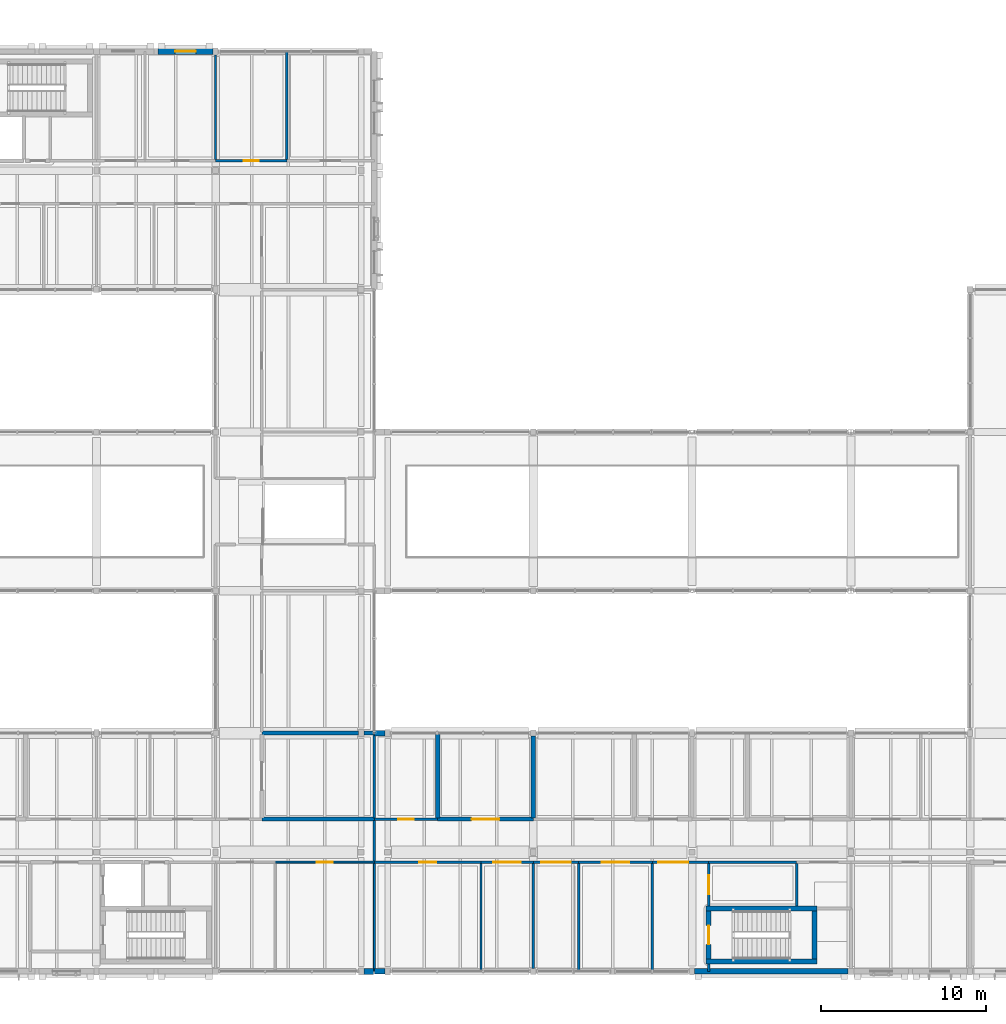
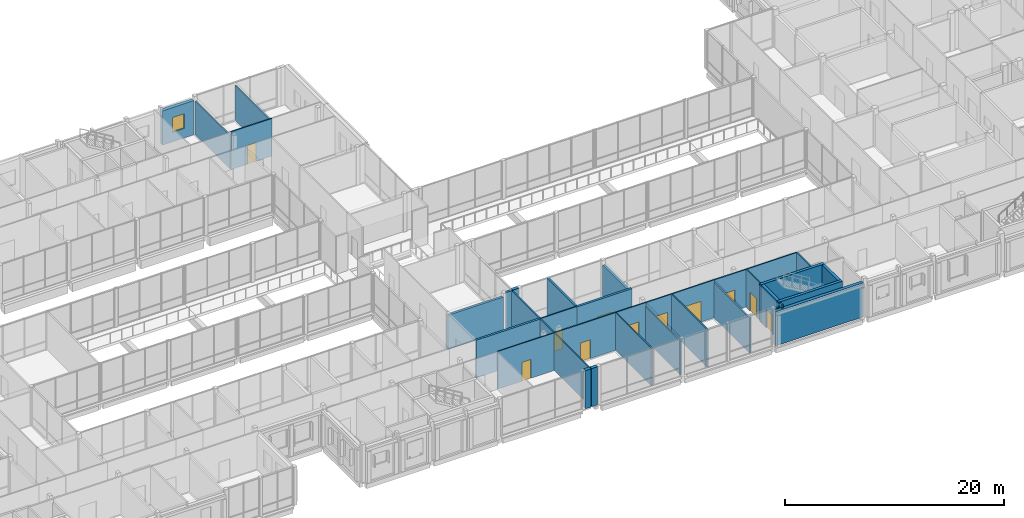
# One storey, part 112 of 146: 36 walls, 11 doors, 1 window, 12 openings.
"""IFC4 building model written with IfcOpenShell, lengths in metres."""

from ifc_helpers import new_model, si_unit, direction, frame, frame_2d, origin, place, context, subcontext, project, spatial, rectangle, extrude, material, layer, layer_set, type_object, element, fill, save


model = new_model("IFC4")

# Units and contexts
model_context = context("Model", 3, precision=1e-05, world=origin(), true_north=direction((0.0, 1.0)))
body_context = subcontext(model_context, "Body", "Model", "MODEL_VIEW")
ifc_project = project(units=[si_unit("LENGTHUNIT", "METRE"), si_unit("AREAUNIT", "SQUARE_METRE"), si_unit("VOLUMEUNIT", "CUBIC_METRE"), si_unit("PLANEANGLEUNIT", "RADIAN"), si_unit("MASSUNIT", "GRAM", prefix="KILO")], contexts=[model_context])

# Site, building, storey
site_placement = place(None, origin())
site = spatial("IfcSite", under=ifc_project, at=site_placement, CompositionType="ELEMENT")
building_placement = place(site_placement, origin())
building = spatial("IfcBuilding", under=site, at=building_placement, Name="Hawrajan Terrace Health Centre", CompositionType="ELEMENT")
storey_placement = place(building_placement, frame((0.0, 0.0, 4.5)))
storey = spatial("IfcBuildingStorey", under=building, at=storey_placement, Name="L01", CompositionType="ELEMENT", Elevation=4.5)

# Wall
ifc_material_1 = material(Name="Gypsum board on acoustic stud framing")
ifc_layer_1 = layer(ifc_material_1, 0.139892578125)
ifc_layer_set_1 = layer_set([ifc_layer_1], Name="Gypsum board on acoustic stud framing")
wall_type_1 = type_object("IfcWallType", Name="ClinicalAcousticWall_140", PredefinedType="PARTITIONING", material=ifc_layer_set_1)
wall_1_placement = place(storey_placement, frame((62.199951171875, 53.27001953125, 0.0), z_axis=(0.0, 0.0, 1.0), x_axis=(0.0, 1.0, 0.0)))
element("IfcWall", 1, at=wall_1_placement, inside=storey, type_object=wall_type_1, Name="Interior wall IW-L01-0629", PredefinedType="PARTITIONING", context=body_context, shape_type="SweptSolid", body=[
    extrude(rectangle(XDim=6.320068359375, YDim=0.139892578125, at=frame_2d((3.16015625, 0.0))), origin(), (0.0, 0.0, 1.0), 3.739990234375),
])

# Wall, opening, door
wall_2_placement = place(storey_placement, frame((62.199951171875, 53.199951171875, 0.0), z_axis=(0.0, 0.0, 1.0), x_axis=(1.0, 0.0, 0.0)))
wall_2 = element("IfcWall", 2, at=wall_2_placement, inside=storey, type_object=wall_type_1, Name="Interior wall IW-L01-0630", PredefinedType="PARTITIONING", context=body_context, shape_type="SweptSolid", body=[
    extrude(rectangle(XDim=4.30810546875, YDim=0.139892578125, at=frame_2d((2.154052734375, 0.0))), origin(), (0.0, 0.0, 1.0), 4.179931640625),
])
opening_1_placement = place(wall_2_placement, frame((1.694091796875, 0.0, 0.0)))
opening_1 = element("IfcOpeningElement", 3, at=opening_1_placement, cuts=wall_2, Name="Opening D-L01-337", PredefinedType="OPENING", context=body_context, shape_type="SweptSolid", body=[
    extrude(rectangle(XDim=0.919921875, YDim=2.10009765625, at=frame_2d((0.4599609375, 1.050048828125))), frame((0.0, 0.079833984375, 0.0), z_axis=(0.0, -1.0, 0.0), x_axis=(1.0, 0.0, 0.0)), (0.0, 0.0, 1.0), 0.159912109375),
])
ifc_material_2 = material(Name="Hardwood acoustic clinical door leaf and frame", Category="wood")
door_type_1 = type_object("IfcDoorType", Name="StaffOfficeDoor_920x2100", OperationType="NOTDEFINED", PredefinedType="DOOR", material=ifc_material_2)
door_1_placement = place(opening_1_placement, origin())
door_1 = element("IfcDoor", 4, at=door_1_placement, inside=storey, type_object=door_type_1, Name="Interior door D-L01-337", OperationType="SINGLE_SWING_LEFT", OverallHeight=2.10009765625, OverallWidth=0.919921875, PredefinedType="DOOR", context=body_context, shape_type="SweptSolid", body=[
    extrude(rectangle(XDim=0.919921875, YDim=2.10009765625, at=frame_2d((0.4599609375, 1.050048828125))), frame((0.0, 0.02490234375, 0.0), z_axis=(0.0, -1.0, 0.0), x_axis=(1.0, 0.0, 0.0)), (0.0, 0.0, 1.0), 0.050048828125),
])
fill(opening_1, door_1)

# Wall
wall_3_placement = place(storey_placement, frame((66.508056640625, 53.27001953125, 0.0), z_axis=(0.0, 0.0, 1.0), x_axis=(0.0, 1.0, 0.0)))
element("IfcWall", 5, at=wall_3_placement, inside=storey, type_object=wall_type_1, Name="Interior wall IW-L01-0649", PredefinedType="PARTITIONING", context=body_context, shape_type="SweptSolid", body=[
    extrude(rectangle(XDim=6.530029296875, YDim=0.139892578125, at=frame_2d((3.26513671875, 0.0))), origin(), (0.0, 0.0, 1.0), 3.860107421875),
])

# Wall, opening, door
wall_4_placement = place(storey_placement, frame((71.804931640625, 10.800048828125, 0.0), z_axis=(0.0, 0.0, 1.0), x_axis=(1.0, 0.0, 0.0)))
wall_4 = element("IfcWall", 6, at=wall_4_placement, inside=storey, type_object=wall_type_1, Name="Interior wall IW-L01-0651", PredefinedType="PARTITIONING", context=body_context, shape_type="SweptSolid", body=[
    extrude(rectangle(XDim=6.43798828125, YDim=0.139892578125, at=frame_2d((3.218994140625, 0.0))), origin(), (0.0, 0.0, 1.0), 4.179931640625),
])
opening_2_placement = place(wall_4_placement, frame((2.698974609375, 0.0, 0.0)))
opening_2 = element("IfcOpeningElement", 7, at=opening_2_placement, cuts=wall_4, Name="Opening D-L01-345", PredefinedType="OPENING", context=body_context, shape_type="SweptSolid", body=[
    extrude(rectangle(XDim=1.0400390625, YDim=2.10009765625, at=frame_2d((0.52001953125, 1.050048828125))), frame((0.0, 0.079833984375, 0.0), z_axis=(0.0, -1.0, 0.0), x_axis=(1.0, 0.0, 0.0)), (0.0, 0.0, 1.0), 0.159912109375),
])
door_type_2 = type_object("IfcDoorType", Name="ConsultDoor_1040x2100", OperationType="NOTDEFINED", PredefinedType="DOOR", material=ifc_material_2)
door_2_placement = place(opening_2_placement, origin())
door_2 = element("IfcDoor", 8, at=door_2_placement, inside=storey, type_object=door_type_2, Name="Interior door D-L01-345", OperationType="SINGLE_SWING_LEFT", OverallHeight=2.10009765625, OverallWidth=1.0400390625, PredefinedType="DOOR", context=body_context, shape_type="SweptSolid", body=[
    extrude(rectangle(XDim=1.0400390625, YDim=2.10009765625, at=frame_2d((0.52001953125, 1.050048828125))), frame((0.0, 0.02490234375, 0.0), z_axis=(0.0, -1.0, 0.0), x_axis=(1.0, 0.0, 0.0)), (0.0, 0.0, 1.0), 0.050048828125),
])
fill(opening_2, door_2)

wall_5_placement = place(storey_placement, frame((71.804931640625, 13.39990234375, 0.0), z_axis=(0.0, 0.0, 1.0), x_axis=(1.0, 0.0, 0.0)))
wall_5 = element("IfcWall", 9, at=wall_5_placement, inside=storey, type_object=wall_type_1, Name="Interior wall IW-L01-0652", PredefinedType="PARTITIONING", context=body_context, shape_type="SweptSolid", body=[
    extrude(rectangle(XDim=3.819091796875, YDim=0.139892578125, at=frame_2d((1.90966796875, 0.0))), origin(), (0.0, 0.0, 1.0), 4.179931640625),
])
opening_3_placement = place(wall_5_placement, frame((1.449462890625, 0.0, 0.0)))
opening_3 = element("IfcOpeningElement", 10, at=opening_3_placement, cuts=wall_5, Name="Opening D-L01-347", PredefinedType="OPENING", context=body_context, shape_type="SweptSolid", body=[
    extrude(rectangle(XDim=0.919921875, YDim=2.10009765625, at=frame_2d((0.4599609375, 1.050048828125))), frame((0.0, 0.079833984375, 0.0), z_axis=(0.0, -1.0, 0.0), x_axis=(1.0, 0.0, 0.0)), (0.0, 0.0, 1.0), 0.159912109375),
])
door_3_placement = place(opening_3_placement, origin())
door_3 = element("IfcDoor", 11, at=door_3_placement, inside=storey, type_object=door_type_1, Name="Interior door D-L01-347", OperationType="SINGLE_SWING_LEFT", OverallHeight=2.10009765625, OverallWidth=0.919921875, PredefinedType="DOOR", context=body_context, shape_type="SweptSolid", body=[
    extrude(rectangle(XDim=0.919921875, YDim=2.10009765625, at=frame_2d((0.4599609375, 1.050048828125))), frame((0.0, 0.02490234375, 0.0), z_axis=(0.0, -1.0, 0.0), x_axis=(1.0, 0.0, 0.0)), (0.0, 0.0, 1.0), 0.050048828125),
])
fill(opening_3, door_3)

# Wall
wall_6_placement = place(storey_placement, frame((78.242919921875, 4.199951171875, 0.0), z_axis=(0.0, 0.0, 1.0), x_axis=(0.0, 1.0, 0.0)))
element("IfcWall", 12, at=wall_6_placement, inside=storey, type_object=wall_type_1, Name="Interior wall IW-L01-0655", PredefinedType="PARTITIONING", context=body_context, shape_type="SweptSolid", body=[
    extrude(rectangle(XDim=6.530029296875, YDim=0.139892578125, at=frame_2d((3.26513671875, 0.0))), origin(), (0.0, 0.0, 1.0), 4.179931640625),
])

# Wall, opening, door
wall_7_placement = place(storey_placement, frame((78.242919921875, 10.800048828125, 0.0), z_axis=(0.0, 0.0, 1.0), x_axis=(1.0, 0.0, 0.0)))
wall_7 = element("IfcWall", 13, at=wall_7_placement, inside=storey, type_object=wall_type_1, Name="Interior wall IW-L01-0656", PredefinedType="PARTITIONING", context=body_context, shape_type="SweptSolid", body=[
    extrude(rectangle(XDim=3.156982421875, YDim=0.139892578125, at=frame_2d((1.57861328125, 0.0))), origin(), (0.0, 0.0, 1.0), 4.179931640625),
])
opening_4_placement = place(wall_7_placement, frame((0.74853515625, 0.0, 0.0)))
opening_4 = element("IfcOpeningElement", 14, at=opening_4_placement, cuts=wall_7, Name="Opening D-L01-346", PredefinedType="OPENING", context=body_context, shape_type="SweptSolid", body=[
    extrude(rectangle(XDim=1.659912109375, YDim=2.300048828125, at=frame_2d((0.830078125, 1.14990234375))), frame((0.0, 0.079833984375, 0.0), z_axis=(0.0, -1.0, 0.0), x_axis=(1.0, 0.0, 0.0)), (0.0, 0.0, 1.0), 0.159912109375),
])
door_type_3 = type_object("IfcDoorType", Name="RehabGymDoor_1660x2300", OperationType="DOUBLE_DOOR_SINGLE_SWING", PredefinedType="DOOR", material=ifc_material_2)
door_4_placement = place(opening_4_placement, origin())
door_4 = element("IfcDoor", 15, at=door_4_placement, inside=storey, type_object=door_type_3, Name="Interior door D-L01-346", OperationType="DOUBLE_DOOR_SINGLE_SWING", OverallHeight=2.300048828125, OverallWidth=1.659912109375, PredefinedType="DOOR", context=body_context, shape_type="SweptSolid", body=[
    extrude(rectangle(XDim=1.659912109375, YDim=2.300048828125, at=frame_2d((0.830078125, 1.14990234375))), frame((0.0, 0.02490234375, 0.0), z_axis=(0.0, -1.0, 0.0), x_axis=(1.0, 0.0, 0.0)), (0.0, 0.0, 1.0), 0.050048828125),
])
fill(opening_4, door_4)

# Wall
wall_8_placement = place(storey_placement, frame((81.39990234375, 4.3798828125, 0.0), z_axis=(0.0, 0.0, 1.0), x_axis=(0.0, 1.0, 0.0)))
element("IfcWall", 16, at=wall_8_placement, inside=storey, type_object=wall_type_1, Name="Interior wall IW-L01-0657", PredefinedType="PARTITIONING", context=body_context, shape_type="SweptSolid", body=[
    extrude(rectangle(XDim=6.35009765625, YDim=0.139892578125, at=frame_2d((3.175048828125, 0.0))), origin(), (0.0, 0.0, 1.0), 3.739990234375),
])

# Wall, opening, door
wall_9_placement = place(storey_placement, frame((81.39990234375, 10.800048828125, 0.0), z_axis=(0.0, 0.0, 1.0), x_axis=(1.0, 0.0, 0.0)))
wall_9 = element("IfcWall", 17, at=wall_9_placement, inside=storey, type_object=wall_type_1, Name="Interior wall IW-L01-0658", PredefinedType="PARTITIONING", context=body_context, shape_type="SweptSolid", body=[
    extrude(rectangle(XDim=2.7431640625, YDim=0.139892578125, at=frame_2d((1.37158203125, 0.0))), origin(), (0.0, 0.0, 1.0), 4.179931640625),
])
opening_5_placement = place(wall_9_placement, frame((0.471435546875, 0.0, 0.0)))
opening_5 = element("IfcOpeningElement", 18, at=opening_5_placement, cuts=wall_9, Name="Opening D-L01-349", PredefinedType="OPENING", context=body_context, shape_type="SweptSolid", body=[
    extrude(rectangle(XDim=1.800048828125, YDim=2.300048828125, at=frame_2d((0.89990234375, 1.14990234375))), frame((0.0, 0.079833984375, 0.0), z_axis=(0.0, -1.0, 0.0), x_axis=(1.0, 0.0, 0.0)), (0.0, 0.0, 1.0), 0.159912109375),
])
door_type_4 = type_object("IfcDoorType", Name="EducationHallDoor_1800x2300", OperationType="DOUBLE_DOOR_SINGLE_SWING", PredefinedType="DOOR", material=ifc_material_2)
door_5_placement = place(opening_5_placement, origin())
door_5 = element("IfcDoor", 19, at=door_5_placement, inside=storey, type_object=door_type_4, Name="Interior door D-L01-349", OperationType="DOUBLE_DOOR_SINGLE_SWING", OverallHeight=2.300048828125, OverallWidth=1.800048828125, PredefinedType="DOOR", context=body_context, shape_type="SweptSolid", body=[
    extrude(rectangle(XDim=1.800048828125, YDim=2.300048828125, at=frame_2d((0.89990234375, 1.14990234375))), frame((0.0, 0.02490234375, 0.0), z_axis=(0.0, -1.0, 0.0), x_axis=(1.0, 0.0, 0.0)), (0.0, 0.0, 1.0), 0.050048828125),
])
fill(opening_5, door_5)

# Wall
wall_10_placement = place(storey_placement, frame((84.14306640625, 4.199951171875, 0.0), z_axis=(0.0, 0.0, 1.0), x_axis=(0.0, 1.0, 0.0)))
element("IfcWall", 20, at=wall_10_placement, inside=storey, type_object=wall_type_1, Name="Interior wall IW-L01-0661", PredefinedType="PARTITIONING", context=body_context, shape_type="SweptSolid", body=[
    extrude(rectangle(XDim=6.530029296875, YDim=0.139892578125, at=frame_2d((3.26513671875, 0.0))), origin(), (0.0, 0.0, 1.0), 4.179931640625),
])

# Wall, opening, door
wall_11_placement = place(storey_placement, frame((84.14306640625, 10.800048828125, 0.0), z_axis=(0.0, 0.0, 1.0), x_axis=(1.0, 0.0, 0.0)))
wall_11 = element("IfcWall", 21, at=wall_11_placement, inside=storey, type_object=wall_type_1, Name="Interior wall IW-L01-0662", PredefinedType="PARTITIONING", context=body_context, shape_type="SweptSolid", body=[
    extrude(rectangle(XDim=4.45703125, YDim=0.139892578125, at=frame_2d((2.228515625, 0.0))), origin(), (0.0, 0.0, 1.0), 4.179931640625),
])
opening_6_placement = place(wall_11_placement, frame((1.3984375, 0.0, 0.0)))
opening_6 = element("IfcOpeningElement", 22, at=opening_6_placement, cuts=wall_11, Name="Opening D-L01-350", PredefinedType="OPENING", context=body_context, shape_type="SweptSolid", body=[
    extrude(rectangle(XDim=1.659912109375, YDim=2.300048828125, at=frame_2d((0.830078125, 1.14990234375))), frame((0.0, 0.079833984375, 0.0), z_axis=(0.0, -1.0, 0.0), x_axis=(1.0, 0.0, 0.0)), (0.0, 0.0, 1.0), 0.159912109375),
])
door_6_placement = place(opening_6_placement, origin())
door_6 = element("IfcDoor", 23, at=door_6_placement, inside=storey, type_object=door_type_3, Name="Interior door D-L01-350", OperationType="DOUBLE_DOOR_SINGLE_SWING", OverallHeight=2.300048828125, OverallWidth=1.659912109375, PredefinedType="DOOR", context=body_context, shape_type="SweptSolid", body=[
    extrude(rectangle(XDim=1.659912109375, YDim=2.300048828125, at=frame_2d((0.830078125, 1.14990234375))), frame((0.0, 0.02490234375, 0.0), z_axis=(0.0, -1.0, 0.0), x_axis=(1.0, 0.0, 0.0)), (0.0, 0.0, 1.0), 0.050048828125),
])
fill(opening_6, door_6)

# Wall
wall_12_placement = place(storey_placement, frame((88.60009765625, 4.199951171875, 0.0), z_axis=(0.0, 0.0, 1.0), x_axis=(0.0, 1.0, 0.0)))
element("IfcWall", 24, at=wall_12_placement, inside=storey, type_object=wall_type_1, Name="Interior wall IW-L01-0665", PredefinedType="PARTITIONING", context=body_context, shape_type="SweptSolid", body=[
    extrude(rectangle(XDim=6.530029296875, YDim=0.139892578125, at=frame_2d((3.26513671875, 0.0))), origin(), (0.0, 0.0, 1.0), 3.89990234375),
])

# Wall, opening, door
wall_13_placement = place(storey_placement, frame((88.60009765625, 10.800048828125, 0.0), z_axis=(0.0, 0.0, 1.0), x_axis=(1.0, 0.0, 0.0)))
wall_13 = element("IfcWall", 25, at=wall_13_placement, inside=storey, type_object=wall_type_1, Name="Interior wall IW-L01-0666", PredefinedType="PARTITIONING", context=body_context, shape_type="SweptSolid", body=[
    extrude(rectangle(XDim=3.39990234375, YDim=0.139892578125, at=frame_2d((1.699951171875, 0.0))), origin(), (0.0, 0.0, 1.0), 4.179931640625),
])
opening_7_placement = place(wall_13_placement, frame((0.360107421875, 0.0, 0.0)))
opening_7 = element("IfcOpeningElement", 26, at=opening_7_placement, cuts=wall_13, Name="Opening D-L01-264", PredefinedType="OPENING", context=body_context, shape_type="SweptSolid", body=[
    extrude(rectangle(XDim=1.800048828125, YDim=2.300048828125, at=frame_2d((0.89990234375, 1.14990234375))), frame((0.0, 0.079833984375, 0.0), z_axis=(0.0, -1.0, 0.0), x_axis=(1.0, 0.0, 0.0)), (0.0, 0.0, 1.0), 0.159912109375),
])
door_7_placement = place(opening_7_placement, origin())
door_7 = element("IfcDoor", 27, at=door_7_placement, inside=storey, type_object=door_type_4, Name="Interior door D-L01-264", OperationType="DOUBLE_DOOR_SINGLE_SWING", OverallHeight=2.300048828125, OverallWidth=1.800048828125, PredefinedType="DOOR", context=body_context, shape_type="SweptSolid", body=[
    extrude(rectangle(XDim=1.800048828125, YDim=2.300048828125, at=frame_2d((0.89990234375, 1.14990234375))), frame((0.0, 0.02490234375, 0.0), z_axis=(0.0, -1.0, 0.0), x_axis=(1.0, 0.0, 0.0)), (0.0, 0.0, 1.0), 0.050048828125),
])
fill(opening_7, door_7)

wall_14_placement = place(storey_placement, frame((92.0, 8.139892578125, 0.0), z_axis=(0.0, 0.0, 1.0), x_axis=(0.0, 1.0, 0.0)))
wall_14 = element("IfcWall", 28, at=wall_14_placement, inside=storey, type_object=wall_type_1, Name="Interior wall IW-L01-0669", PredefinedType="PARTITIONING", context=body_context, shape_type="SweptSolid", body=[
    extrude(rectangle(XDim=2.590087890625, YDim=0.139892578125, at=frame_2d((1.294921875, 0.0))), origin(), (0.0, 0.0, 1.0), 4.179931640625),
])
opening_8_placement = place(wall_14_placement, frame((0.715087890625, 0.0, 0.0)))
opening_8 = element("IfcOpeningElement", 29, at=opening_8_placement, cuts=wall_14, Name="Opening D-L01-353", PredefinedType="OPENING", context=body_context, shape_type="SweptSolid", body=[
    extrude(rectangle(XDim=1.159912109375, YDim=2.10009765625, at=frame_2d((0.580078125, 1.050048828125))), frame((0.0, 0.079833984375, 0.0), z_axis=(0.0, -1.0, 0.0), x_axis=(1.0, 0.0, 0.0)), (0.0, 0.0, 1.0), 0.159912109375),
])
door_type_5 = type_object("IfcDoorType", Name="ConsultDoor_1160x2100", OperationType="NOTDEFINED", PredefinedType="DOOR", material=ifc_material_2)
door_8_placement = place(opening_8_placement, origin())
door_8 = element("IfcDoor", 30, at=door_8_placement, inside=storey, type_object=door_type_5, Name="Interior door D-L01-353", OperationType="SINGLE_SWING_LEFT", OverallHeight=2.10009765625, OverallWidth=1.159912109375, PredefinedType="DOOR", context=body_context, shape_type="SweptSolid", body=[
    extrude(rectangle(XDim=1.159912109375, YDim=2.10009765625, at=frame_2d((0.580078125, 1.050048828125))), frame((0.0, 0.02490234375, 0.0), z_axis=(0.0, -1.0, 0.0), x_axis=(1.0, 0.0, 0.0)), (0.0, 0.0, 1.0), 0.050048828125),
])
fill(opening_8, door_8)

# Walls
wall_15_placement = place(storey_placement, frame((92.0, 10.800048828125, 0.0), z_axis=(0.0, 0.0, 1.0), x_axis=(1.0, 0.0, 0.0)))
element("IfcWall", 31, at=wall_15_placement, inside=storey, type_object=wall_type_1, Name="Interior wall IW-L01-0670", PredefinedType="PARTITIONING", context=body_context, shape_type="SweptSolid", body=[
    extrude(rectangle(XDim=5.322998046875, YDim=0.139892578125, at=frame_2d((2.66162109375, 0.0))), origin(), (0.0, 0.0, 1.0), 4.179931640625),
])
wall_16_placement = place(storey_placement, frame((97.322998046875, 8.139892578125, 0.0), z_axis=(0.0, 0.0, 1.0), x_axis=(0.0, 1.0, 0.0)))
element("IfcWall", 32, at=wall_16_placement, inside=storey, type_object=wall_type_1, Name="Interior wall IW-L01-0673", PredefinedType="PARTITIONING", context=body_context, shape_type="SweptSolid", body=[
    extrude(rectangle(XDim=2.590087890625, YDim=0.139892578125, at=frame_2d((1.294921875, 0.0))), origin(), (0.0, 0.0, 1.0), 4.179931640625),
])
ifc_material_3 = material(Name="Precast concrete C40/50", Category="concrete")
ifc_layer_2 = layer(ifc_material_3, 0.340087890625)
ifc_layer_set_2 = layer_set([ifc_layer_2], Name="Precast concrete C40/50")
wall_type_2 = type_object("IfcWallType", Name="CoralAshlarWall_340", PredefinedType="SOLIDWALL", material=ifc_layer_set_2)
for number, where, z_axis, x_axis, name in (
    (33, (71.804931640625, 4.199951171875, 0.0), (0.0, 0.0, 1.0), (1.0, 0.0, 0.0), "Exterior wall EW-L01-H09-00-1"),
    (34, (71.804931640625, 18.60009765625, 0.0), (0.0, 0.0, 1.0), (1.0, 0.0, 0.0), "Exterior wall EW-L01-H09-02-1"),
):
    element("IfcWall", number, at=place(storey_placement, frame(where, z_axis=z_axis, x_axis=x_axis)), inside=storey, type_object=wall_type_2, Name=name, PredefinedType="SOLIDWALL", context=body_context, shape_type="SweptSolid", body=[
        extrude(rectangle(XDim=0.635009765625, YDim=0.340087890625, at=frame_2d((0.3173828125, 0.0))), origin(), (0.0, 0.0, 1.0), 4.260009765625),
    ])
wall_17_placement = place(storey_placement, frame((91.159912109375, 4.199951171875, 0.0), z_axis=(0.0, 0.0, 1.0), x_axis=(1.0, 0.0, 0.0)))
element("IfcWall", 35, at=wall_17_placement, inside=storey, type_object=wall_type_2, Name="Exterior wall EW-L01-H11-00-1", PredefinedType="SOLIDWALL", context=body_context, shape_type="SweptSolid", body=[
    extrude(rectangle(XDim=9.260009765625, YDim=0.340087890625, at=frame_2d((4.6298828125, 0.0))), origin(), (0.0, 0.0, 1.0), 3.800048828125),
])

# Wall, opening, window
ifc_layer_3 = layer(ifc_material_3, 0.360107421875)
ifc_layer_set_3 = layer_set([ifc_layer_3], Name="Precast concrete C40/50")
wall_type_3 = type_object("IfcWallType", Name="CoralPodiumWall_360", PredefinedType="SOLIDWALL", material=ifc_layer_set_3)
wall_18_placement = place(storey_placement, frame((58.719970703125, 59.800048828125, 0.0), z_axis=(0.0, 0.0, 1.0), x_axis=(1.0, 0.0, 0.0)))
wall_18 = element("IfcWall", 36, at=wall_18_placement, inside=storey, type_object=wall_type_3, Name="Exterior wall EW-L01-H07-07-2", PredefinedType="SOLIDWALL", context=body_context, shape_type="SweptSolid", body=[
    extrude(rectangle(XDim=3.320068359375, YDim=0.360107421875, at=frame_2d((1.66015625, 0.0))), origin(), (0.0, 0.0, 1.0), 3.800048828125),
])
opening_9_placement = place(wall_18_placement, frame((1.030029296875, 0.0, 1.050048828125)))
opening_9 = element("IfcOpeningElement", 37, at=opening_9_placement, cuts=wall_18, Name="Opening W-L01-079", PredefinedType="OPENING", context=body_context, shape_type="SweptSolid", body=[
    extrude(rectangle(XDim=1.260009765625, YDim=1.64990234375, at=frame_2d((0.6298828125, 0.824951171875))), frame((0.0, 0.18994140625, 0.0), z_axis=(0.0, -1.0, 0.0), x_axis=(1.0, 0.0, 0.0)), (0.0, 0.0, 1.0), 0.380126953125),
])
ifc_material_4 = material(Name="Anodized bronze frame with double low-E glazing", Category="glass")
window_type = type_object("IfcWindowType", Name="FacadeWindow_1260x1650", PartitioningType="SINGLE_PANEL", PredefinedType="WINDOW", material=ifc_material_4)
window_placement = place(opening_9_placement, origin())
window = element("IfcWindow", 38, at=window_placement, inside=storey, type_object=window_type, Name="Window W-L01-079", OverallHeight=1.64990234375, OverallWidth=1.260009765625, PartitioningType="SINGLE_PANEL", PredefinedType="WINDOW", context=body_context, shape_type="SweptSolid", body=[
    extrude(rectangle(XDim=1.260009765625, YDim=1.64990234375, at=frame_2d((0.6298828125, 0.824951171875))), frame((0.0, 0.030029296875, 0.0), z_axis=(0.0, -1.0, 0.0), x_axis=(1.0, 0.0, 0.0)), (0.0, 0.0, 1.0), 0.06005859375),
])
fill(opening_9, window)

# Walls
wall_19_placement = place(storey_placement, frame((71.159912109375, 4.199951171875, 0.0), z_axis=(0.0, 0.0, 1.0), x_axis=(1.0, 0.0, 0.0)))
element("IfcWall", 39, at=wall_19_placement, inside=storey, type_object=wall_type_3, Name="Exterior wall EW-L01-H08-00-2", PredefinedType="SOLIDWALL", context=body_context, shape_type="SweptSolid", body=[
    extrude(rectangle(XDim=0.594970703125, YDim=0.360107421875, at=frame_2d((0.29736328125, 0.0))), origin(), (0.0, 0.0, 1.0), 4.260009765625),
])
ifc_material_5 = material(Name="Concrete C40/50", Category="concrete")
ifc_layer_4 = layer(ifc_material_5, 0.300048828125)
ifc_layer_set_4 = layer_set([ifc_layer_4], Name="Concrete C40/50")
wall_type_4 = type_object("IfcWallType", Name="CoreShearWall_RC300", PredefinedType="SHEAR", material=ifc_layer_set_4)
for number, where, z_axis, x_axis, name in (
    (40, (91.85009765625, 4.800048828125, 0.0), (0.0, 0.0, 1.0), (1.0, 0.0, 0.0), "Core shear wall SW-S5-L01-S"),
    (41, (91.85009765625, 8.0, 0.0), (0.0, 0.0, 1.0), (1.0, 0.0, 0.0), "Core shear wall SW-S5-L01-N"),
):
    element("IfcWall", number, at=place(storey_placement, frame(where, z_axis=z_axis, x_axis=x_axis)), inside=storey, type_object=wall_type_4, Name=name, PredefinedType="SHEAR", context=body_context, shape_type="SweptSolid", body=[
        extrude(rectangle(XDim=6.699951171875, YDim=0.300048828125, at=frame_2d((3.35009765625, 0.0))), origin(), (0.0, 0.0, 1.0), 4.25),
    ])

# Wall, opening, door
wall_20_placement = place(storey_placement, frame((92.0, 4.949951171875, 0.0), z_axis=(0.0, 0.0, 1.0), x_axis=(0.0, 1.0, 0.0)))
wall_20 = element("IfcWall", 42, at=wall_20_placement, inside=storey, type_object=wall_type_4, Name="Core shear wall SW-S5-L01-W", PredefinedType="SHEAR", context=body_context, shape_type="SweptSolid", body=[
    extrude(rectangle(XDim=2.900146484375, YDim=0.300048828125, at=frame_2d((1.4501953125, 0.0))), origin(), (0.0, 0.0, 1.0), 4.25),
])
opening_10_placement = place(wall_20_placement, frame((0.889892578125, 0.0, 0.0)))
opening_10 = element("IfcOpeningElement", 43, at=opening_10_placement, cuts=wall_20, Name="Opening D-L01-243", PredefinedType="OPENING", context=body_context, shape_type="SweptSolid", body=[
    extrude(rectangle(XDim=1.1201171875, YDim=2.10009765625, at=frame_2d((0.56005859375, 1.050048828125))), frame((0.0, 0.159912109375, 0.0), z_axis=(0.0, -1.0, 0.0), x_axis=(1.0, 0.0, 0.0)), (0.0, 0.0, 1.0), 0.320068359375),
])
ifc_material_6 = material(Name="Timber-veneered acoustic fire-resisting door assembly", Category="wood")
door_type_6 = type_object("IfcDoorType", Name="CoreStairDoor_1120x2100", OperationType="NOTDEFINED", PredefinedType="DOOR", material=ifc_material_6)
door_9_placement = place(opening_10_placement, origin())
door_9 = element("IfcDoor", 44, at=door_9_placement, inside=storey, type_object=door_type_6, Name="Interior door D-L01-243", OperationType="SINGLE_SWING_LEFT", OverallHeight=2.10009765625, OverallWidth=1.1201171875, PredefinedType="DOOR", context=body_context, shape_type="SweptSolid", body=[
    extrude(rectangle(XDim=1.1201171875, YDim=2.10009765625, at=frame_2d((0.56005859375, 1.050048828125))), frame((0.0, 0.02490234375, 0.0), z_axis=(0.0, -1.0, 0.0), x_axis=(1.0, 0.0, 0.0)), (0.0, 0.0, 1.0), 0.050048828125),
])
fill(opening_10, door_9)

# Walls
wall_21_placement = place(storey_placement, frame((98.39990234375, 4.949951171875, 0.0), z_axis=(0.0, 0.0, 1.0), x_axis=(0.0, 1.0, 0.0)))
element("IfcWall", 45, at=wall_21_placement, inside=storey, type_object=wall_type_4, Name="Core shear wall SW-S5-L01-E", PredefinedType="SHEAR", context=body_context, shape_type="SweptSolid", body=[
    extrude(rectangle(XDim=2.900146484375, YDim=0.300048828125, at=frame_2d((1.4501953125, 0.0))), origin(), (0.0, 0.0, 1.0), 4.25),
])
ifc_layer_5 = layer(ifc_material_1, 0.159912109375)
ifc_layer_set_5 = layer_set([ifc_layer_5], Name="Gypsum board on acoustic stud framing")
wall_type_5 = type_object("IfcWallType", Name="CorridorFireWall_160", PredefinedType="PARTITIONING", material=ifc_layer_set_5)
wall_22_placement = place(storey_placement, frame((71.794921875, 10.8701171875, 0.0), z_axis=(0.0, 0.0, 1.0), x_axis=(0.0, 1.0, 0.0)))
element("IfcWall", 46, at=wall_22_placement, inside=storey, type_object=wall_type_5, Name="Interior wall IW-L01-0861", PredefinedType="PARTITIONING", context=body_context, shape_type="SweptSolid", body=[
    extrude(rectangle(XDim=2.4599609375, YDim=0.159912109375, at=frame_2d((1.22998046875, 0.0))), origin(), (0.0, 0.0, 1.0), 4.179931640625),
])
wall_23_placement = place(storey_placement, frame((92.0, 4.199951171875, 0.0), z_axis=(0.0, 0.0, 1.0), x_axis=(0.0, 1.0, 0.0)))
element("IfcWall", 47, at=wall_23_placement, inside=storey, type_object=wall_type_5, Name="Interior wall IW-L01-0864", PredefinedType="PARTITIONING", context=body_context, shape_type="SweptSolid", body=[
    extrude(rectangle(XDim=0.4599609375, YDim=0.159912109375, at=frame_2d((0.22998046875, 0.0))), origin(), (0.0, 0.0, 1.0), 4.179931640625),
])
wall_24_placement = place(storey_placement, frame((71.794921875, 13.469970703125, 0.0), z_axis=(0.0, 0.0, 1.0), x_axis=(0.0, 1.0, 0.0)))
element("IfcWall", 48, at=wall_24_placement, inside=storey, type_object=wall_type_5, Name="Interior wall IW-L01-0940", PredefinedType="PARTITIONING", context=body_context, shape_type="SweptSolid", body=[
    extrude(rectangle(XDim=5.06005859375, YDim=0.159912109375, at=frame_2d((2.530029296875, 0.0))), origin(), (0.0, 0.0, 1.0), 4.179931640625),
])
ifc_layer_6 = layer(ifc_material_5, 0.25)
ifc_layer_set_6 = layer_set([ifc_layer_6], Name="Concrete C40/50")
wall_type_6 = type_object("IfcWallType", Name="RadiationShieldWall_RC250", PredefinedType="SOLIDWALL", material=ifc_layer_set_6)
wall_25_placement = place(storey_placement, frame((65.0, 13.39990234375, 0.0), z_axis=(0.0, 0.0, 1.0), x_axis=(1.0, 0.0, 0.0)))
element("IfcWall", 49, at=wall_25_placement, inside=storey, type_object=wall_type_6, Name="Interior wall IW-L01-0632", PredefinedType="SOLIDWALL", context=body_context, shape_type="SweptSolid", body=[
    extrude(rectangle(XDim=6.794921875, YDim=0.25, at=frame_2d((3.3974609375, 0.0))), origin(), (0.0, 0.0, 1.0), 4.179931640625),
])
wall_26_placement = place(storey_placement, frame((65.0, 18.60009765625, 0.0), z_axis=(0.0, 0.0, 1.0), x_axis=(1.0, 0.0, 0.0)))
element("IfcWall", 50, at=wall_26_placement, inside=storey, type_object=wall_type_6, Name="Interior wall IW-L01-0634", PredefinedType="SOLIDWALL", context=body_context, shape_type="SweptSolid", body=[
    extrude(rectangle(XDim=5.840087890625, YDim=0.25, at=frame_2d((2.919921875, 0.0))), origin(), (0.0, 0.0, 1.0), 3.800048828125),
])
wall_27_placement = place(storey_placement, frame((71.159912109375, 18.60009765625, 0.0), z_axis=(0.0, 0.0, 1.0), x_axis=(1.0, 0.0, 0.0)))
element("IfcWall", 51, at=wall_27_placement, inside=storey, type_object=wall_type_6, Name="Interior wall IW-L01-0635", PredefinedType="SOLIDWALL", context=body_context, shape_type="SweptSolid", body=[
    extrude(rectangle(XDim=0.5751953125, YDim=0.25, at=frame_2d((0.28759765625, 0.0))), origin(), (0.0, 0.0, 1.0), 4.179931640625),
])
wall_28_placement = place(storey_placement, frame((75.6240234375, 13.469970703125, 0.0), z_axis=(0.0, 0.0, 1.0), x_axis=(0.0, 1.0, 0.0)))
element("IfcWall", 52, at=wall_28_placement, inside=storey, type_object=wall_type_6, Name="Interior wall IW-L01-0653", PredefinedType="SOLIDWALL", context=body_context, shape_type="SweptSolid", body=[
    extrude(rectangle(XDim=5.130126953125, YDim=0.25, at=frame_2d((2.56494140625, 0.0))), origin(), (0.0, 0.0, 1.0), 4.179931640625),
])

# Wall, opening, door
wall_29_placement = place(storey_placement, frame((75.6240234375, 13.39990234375, 0.0), z_axis=(0.0, 0.0, 1.0), x_axis=(1.0, 0.0, 0.0)))
wall_29 = element("IfcWall", 53, at=wall_29_placement, inside=storey, type_object=wall_type_6, Name="Interior wall IW-L01-0654", PredefinedType="SOLIDWALL", context=body_context, shape_type="SweptSolid", body=[
    extrude(rectangle(XDim=5.77587890625, YDim=0.25, at=frame_2d((2.887939453125, 0.0))), origin(), (0.0, 0.0, 1.0), 4.179931640625),
])
opening_11_placement = place(wall_29_placement, frame((2.048095703125, 0.0, 0.0)))
opening_11 = element("IfcOpeningElement", 54, at=opening_11_placement, cuts=wall_29, Name="Opening D-L01-348", PredefinedType="OPENING", context=body_context, shape_type="SweptSolid", body=[
    extrude(rectangle(XDim=1.679931640625, YDim=2.300048828125, at=frame_2d((0.83984375, 1.14990234375))), frame((0.0, 0.135009765625, 0.0), z_axis=(0.0, -1.0, 0.0), x_axis=(1.0, 0.0, 0.0)), (0.0, 0.0, 1.0), 0.27001953125),
])
door_type_7 = type_object("IfcDoorType", Name="ImagingShieldedDoor_1680x2300", OperationType="DOUBLE_DOOR_SINGLE_SWING", PredefinedType="DOOR", material=ifc_material_6)
door_10_placement = place(opening_11_placement, origin())
door_10 = element("IfcDoor", 55, at=door_10_placement, inside=storey, type_object=door_type_7, Name="Interior door D-L01-348", OperationType="DOUBLE_DOOR_SINGLE_SWING", OverallHeight=2.300048828125, OverallWidth=1.679931640625, PredefinedType="DOOR", context=body_context, shape_type="SweptSolid", body=[
    extrude(rectangle(XDim=1.679931640625, YDim=2.300048828125, at=frame_2d((0.83984375, 1.14990234375))), frame((0.0, 0.02490234375, 0.0), z_axis=(0.0, -1.0, 0.0), x_axis=(1.0, 0.0, 0.0)), (0.0, 0.0, 1.0), 0.050048828125),
])
fill(opening_11, door_10)

# Wall
wall_30_placement = place(storey_placement, frame((81.39990234375, 13.469970703125, 0.0), z_axis=(0.0, 0.0, 1.0), x_axis=(0.0, 1.0, 0.0)))
element("IfcWall", 56, at=wall_30_placement, inside=storey, type_object=wall_type_6, Name="Interior wall IW-L01-0659", PredefinedType="SOLIDWALL", context=body_context, shape_type="SweptSolid", body=[
    extrude(rectangle(XDim=4.949951171875, YDim=0.25, at=frame_2d((2.47509765625, 0.0))), origin(), (0.0, 0.0, 1.0), 3.739990234375),
])

# Wall, opening, door
ifc_material_7 = material(Name="Moisture-resistant board on stud framing")
ifc_layer_7 = layer(ifc_material_7, 0.1201171875)
ifc_layer_set_7 = layer_set([ifc_layer_7], Name="Moisture-resistant board on stud framing")
wall_type_7 = type_object("IfcWallType", Name="WetRoomPartition_120", PredefinedType="PLUMBINGWALL", material=ifc_layer_set_7)
wall_31_placement = place(storey_placement, frame((65.800048828125, 10.800048828125, 0.0), z_axis=(0.0, 0.0, 1.0), x_axis=(1.0, 0.0, 0.0)))
wall_31 = element("IfcWall", 57, at=wall_31_placement, inside=storey, type_object=wall_type_7, Name="Interior wall IW-L01-0648", PredefinedType="PLUMBINGWALL", context=body_context, shape_type="SweptSolid", body=[
    extrude(rectangle(XDim=5.994873046875, YDim=0.1201171875, at=frame_2d((2.99755859375, 0.0))), origin(), (0.0, 0.0, 1.0), 4.179931640625),
])
opening_12_placement = place(wall_31_placement, frame((2.5224609375, 0.0, 0.0)))
opening_12 = element("IfcOpeningElement", 58, at=opening_12_placement, cuts=wall_31, Name="Opening D-L01-303", PredefinedType="OPENING", context=body_context, shape_type="SweptSolid", body=[
    extrude(rectangle(XDim=0.949951171875, YDim=2.10009765625, at=frame_2d((0.47509765625, 1.050048828125))), frame((0.0, 0.070068359375, 0.0), z_axis=(0.0, -1.0, 0.0), x_axis=(1.0, 0.0, 0.0)), (0.0, 0.0, 1.0), 0.14013671875),
])
door_type_8 = type_object("IfcDoorType", Name="AccessibleWCDoor_950x2100", OperationType="NOTDEFINED", PredefinedType="DOOR", material=ifc_material_2)
door_11_placement = place(opening_12_placement, origin())
door_11 = element("IfcDoor", 59, at=door_11_placement, inside=storey, type_object=door_type_8, Name="Interior door D-L01-303", OperationType="SINGLE_SWING_LEFT", OverallHeight=2.10009765625, OverallWidth=0.949951171875, PredefinedType="DOOR", context=body_context, shape_type="SweptSolid", body=[
    extrude(rectangle(XDim=0.949951171875, YDim=2.10009765625, at=frame_2d((0.47509765625, 1.050048828125))), frame((0.0, 0.02490234375, 0.0), z_axis=(0.0, -1.0, 0.0), x_axis=(1.0, 0.0, 0.0)), (0.0, 0.0, 1.0), 0.050048828125),
])
fill(opening_12, door_11)

# Wall
wall_32_placement = place(storey_placement, frame((71.794921875, 4.199951171875, 0.0), z_axis=(0.0, 0.0, 1.0), x_axis=(0.0, 1.0, 0.0)))
element("IfcWall", 60, at=wall_32_placement, inside=storey, type_object=wall_type_7, Name="Interior wall IW-L01-0927", PredefinedType="PLUMBINGWALL", context=body_context, shape_type="SweptSolid", body=[
    extrude(rectangle(XDim=6.530029296875, YDim=0.1201171875, at=frame_2d((3.26513671875, 0.0))), origin(), (0.0, 0.0, 1.0), 4.179931640625),
])

save(model, "model.ifc")
